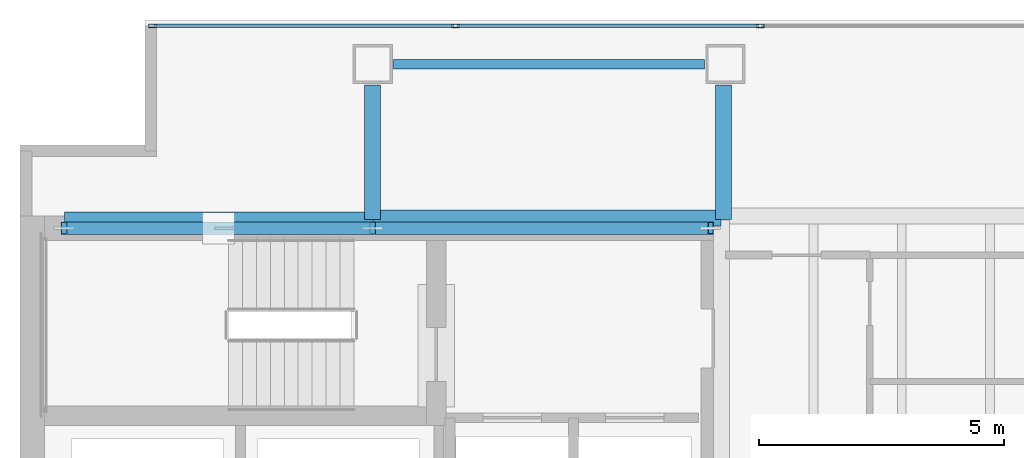
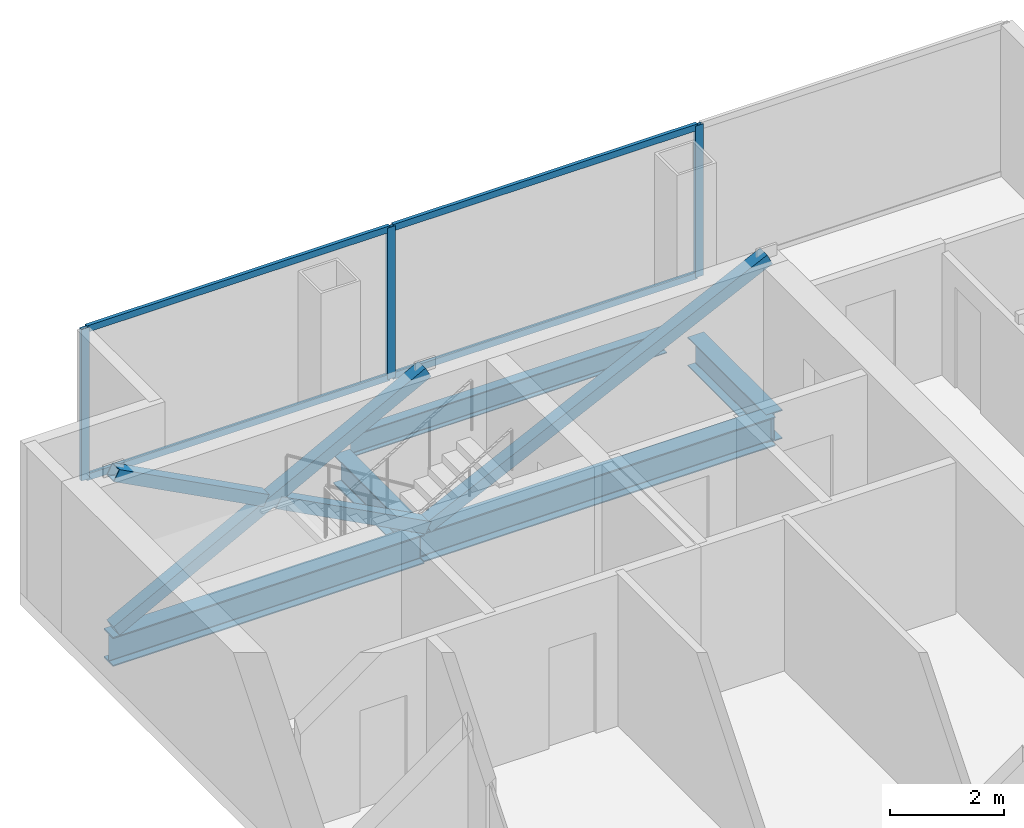
# One storey, part 17 of 23: 11 members, 5 beams, 1 element without a shape of its own.
"""IFC4 building model written with IfcOpenShell, lengths in metres."""

from ifc_helpers import new_model, si_unit, direction, frame, origin, origin_2d, place, context, subcontext, project, spatial, hollow_rectangle, i_section, extrude, material, material_profile, profile_set, type_object, element, aggregate, save


model = new_model("IFC4")

# Units and contexts
model_context = context("Model", 3, precision=1e-05, world=origin(), true_north=direction((0.0, 1.0)))
body_context = subcontext(model_context, "Body", "Model", "MODEL_VIEW")
ifc_project = project(units=[si_unit("LENGTHUNIT", "METRE"), si_unit("AREAUNIT", "SQUARE_METRE"), si_unit("VOLUMEUNIT", "CUBIC_METRE"), si_unit("PLANEANGLEUNIT", "RADIAN"), si_unit("MASSUNIT", "GRAM", prefix="KILO")], contexts=[model_context])

# Site, building, storey
site_placement = place(None, origin())
site = spatial("IfcSite", under=ifc_project, at=site_placement, CompositionType="ELEMENT")
building_placement = place(site_placement, origin())
building = spatial("IfcBuilding", under=site, at=building_placement, Name="Cobrela Telecom Tower", CompositionType="ELEMENT")
storey_placement = place(building_placement, frame((0.0, 0.0, 187.25)))
storey = spatial("IfcBuildingStorey", under=building, at=storey_placement, Name="L47", CompositionType="ELEMENT", Elevation=187.25)

# Beams
ifc_material_1 = material(Name="Steel ASTM A992 Grade 50", Category="steel")
ifc_material_profile_1 = material_profile(ifc_material_1, i_section(OverallWidth=0.327880859375, OverallDepth=0.6220703125, WebThickness=0.015380859375, FlangeThickness=0.0244140625, FilletRadius=0.014892578125, at=origin_2d()), Name="W24X131")
ifc_profile_set_1 = profile_set([ifc_material_profile_1], Name="Steel ASTM A992 Grade 50")
beam_type_1 = type_object("IfcBeamType", Name="BM-GIRD-06", PredefinedType="USERDEFINED", material=ifc_profile_set_1)
beam_1_placement = place(storey_placement, frame((0.905029296875, 35.919921875, -0.571044921875), z_axis=(1.0, 0.0, 0.0), x_axis=(0.0, 1.0, 0.0)))
element("IfcBeam", 1, at=beam_1_placement, inside=storey, type_object=beam_type_1, Name="L47 Primary Girder X20", ObjectType="GIRDER", PredefinedType="USERDEFINED", context=body_context, shape_type="SweptSolid", body=[
    extrude(i_section(OverallWidth=0.327880859375, OverallDepth=0.6220703125, WebThickness=0.015380859375, FlangeThickness=0.0244140625, FilletRadius=0.014892578125, at=origin_2d()), origin(), (0.0, 0.0, 1.0), 6.2900390625),
])
beam_2_placement = place(storey_placement, frame((7.205078125, 35.9599609375, -0.571044921875), z_axis=(1.0, 0.0, 0.0), x_axis=(0.0, 1.0, 0.0)))
element("IfcBeam", 2, at=beam_2_placement, inside=storey, type_object=beam_type_1, Name="L47 Primary Girder X21", ObjectType="GIRDER", PredefinedType="USERDEFINED", context=body_context, shape_type="SweptSolid", body=[
    extrude(i_section(OverallWidth=0.327880859375, OverallDepth=0.6220703125, WebThickness=0.015380859375, FlangeThickness=0.0244140625, FilletRadius=0.014892578125, at=origin_2d()), origin(), (0.0, 0.0, 1.0), 7.10986328125),
])
for number, where, z_axis, x_axis, name in (
    (3, (7.199951171875, 35.925048828125, -0.571044921875), (0.0, 1.0, 0.0), (-1.0, 0.0, 0.0), "L47 Primary Girder Y25"),
    (4, (14.360107421875, 35.925048828125, -0.571044921875), (0.0, 1.0, 0.0), (-1.0, 0.0, 0.0), "L47 Primary Girder Y31"),
):
    element("IfcBeam", number, at=place(storey_placement, frame(where, z_axis=z_axis, x_axis=x_axis)), inside=storey, type_object=beam_type_1, Name=name, ObjectType="GIRDER", PredefinedType="USERDEFINED", context=body_context, shape_type="SweptSolid", body=[
        extrude(i_section(OverallWidth=0.327880859375, OverallDepth=0.6220703125, WebThickness=0.015380859375, FlangeThickness=0.0244140625, FilletRadius=0.014892578125, at=origin_2d()), origin(), (0.0, 0.0, 1.0), 2.744873046875),
    ])
ifc_material_profile_2 = material_profile(ifc_material_1, i_section(OverallWidth=0.193115234375, OverallDepth=0.467041015625, WebThickness=0.011474609375, FlangeThickness=0.01904296875, FilletRadius=0.012939453125, at=origin_2d()), Name="W18X65")
ifc_profile_set_2 = profile_set([ifc_material_profile_2], Name="Steel ASTM A992 Grade 50")
beam_type_2 = type_object("IfcBeamType", Name="BM-SPAND-05", PredefinedType="SPANDREL", material=ifc_profile_set_2)
beam_3_placement = place(storey_placement, frame((7.6298828125, 39.10009765625, -0.493408203125), z_axis=(1.0, 0.0, 0.0), x_axis=(0.0, 1.0, 0.0)))
element("IfcBeam", 5, at=beam_3_placement, inside=storey, type_object=beam_type_2, Name="L47 Perimeter Spandrel X23", PredefinedType="SPANDREL", context=body_context, shape_type="SweptSolid", body=[
    extrude(i_section(OverallWidth=0.193115234375, OverallDepth=0.467041015625, WebThickness=0.011474609375, FlangeThickness=0.01904296875, FilletRadius=0.012939453125, at=origin_2d()), origin(), (0.0, 0.0, 1.0), 6.340087890625),
])

# Curtain wall, members
ifc_material_2 = material(Name="Anodized Bronze Aluminium 6063-T6", Category="aluminium")
curtain_wall_type = type_object("IfcCurtainWallType", Name="CW-SYS-OFF-LO", PredefinedType="USERDEFINED", material=ifc_material_2)
curtain_wall_placement = place(storey_placement, origin())
curtain_wall = element("IfcCurtainWall", 6, at=curtain_wall_placement, inside=storey, type_object=curtain_wall_type, Name="L47 Unitised Bronze Curtain Wall 07", ObjectType="UNITISED CURTAIN WALL", PredefinedType="USERDEFINED")
ifc_material_profile_3 = material_profile(ifc_material_2, hollow_rectangle(XDim=0.070068359375, YDim=0.159912109375, WallThickness=0.00390625, at=origin_2d()), Name="ALU 70x160x4")
ifc_profile_set_3 = profile_set([ifc_material_profile_3], Name="Anodized Bronze Aluminium 6063-T6")
member_type_1 = type_object("IfcMemberType", Name="CW-SYS-OFF-LO-MUL", PredefinedType="MULLION", material=ifc_profile_set_3)
member_1_placement = place(storey_placement, frame((2.705078125, 39.8798828125, 0.0), z_axis=(0.0, 0.0, 1.0), x_axis=(0.0, 1.0, 0.0)))
member_1 = element("IfcMember", 7, at=member_1_placement, type_object=member_type_1, Name="CW-OFF-LO mullion 1", PredefinedType="MULLION", context=body_context, shape_type="SweptSolid", body=[
    extrude(hollow_rectangle(XDim=0.070068359375, YDim=0.159912109375, WallThickness=0.00390625, at=origin_2d()), origin(), (0.0, 0.0, 1.0), 3.239990234375),
])
member_2_placement = place(storey_placement, frame((8.889892578125, 39.8798828125, 0.0), z_axis=(0.0, 0.0, 1.0), x_axis=(0.0, 1.0, 0.0)))
member_2 = element("IfcMember", 8, at=member_2_placement, type_object=member_type_1, Name="CW-OFF-LO mullion 2", PredefinedType="MULLION", context=body_context, shape_type="SweptSolid", body=[
    extrude(hollow_rectangle(XDim=0.070068359375, YDim=0.159912109375, WallThickness=0.00390625, at=origin_2d()), origin(), (0.0, 0.0, 1.0), 3.239990234375),
])
member_3_placement = place(storey_placement, frame((15.110107421875, 39.8798828125, 0.0), z_axis=(0.0, 0.0, 1.0), x_axis=(0.0, 1.0, 0.0)))
member_3 = element("IfcMember", 9, at=member_3_placement, type_object=member_type_1, Name="CW-OFF-LO mullion 3", PredefinedType="MULLION", context=body_context, shape_type="SweptSolid", body=[
    extrude(hollow_rectangle(XDim=0.070068359375, YDim=0.159912109375, WallThickness=0.00390625, at=origin_2d()), origin(), (0.0, 0.0, 1.0), 3.239990234375),
])
ifc_material_profile_4 = material_profile(ifc_material_2, hollow_rectangle(XDim=0.070068359375, YDim=0.139892578125, WallThickness=0.00390625, at=origin_2d()), Name="ALU 70x140x4")
ifc_profile_set_4 = profile_set([ifc_material_profile_4], Name="Anodized Bronze Aluminium 6063-T6")
member_type_2 = type_object("IfcMemberType", Name="CW-SYS-OFF-LO-TRN", PredefinedType="USERDEFINED", material=ifc_profile_set_4)
member_4_placement = place(storey_placement, frame((2.739990234375, 39.8798828125, 0.034912109375), z_axis=(1.0, 0.0, 0.0), x_axis=(0.0, 1.0, 0.0)))
member_4 = element("IfcMember", 10, at=member_4_placement, type_object=member_type_2, Name="CW-OFF-LO transom 1.1", ObjectType="TRANSOM", PredefinedType="USERDEFINED", context=body_context, shape_type="SweptSolid", body=[
    extrude(hollow_rectangle(XDim=0.070068359375, YDim=0.139892578125, WallThickness=0.00390625, at=origin_2d()), origin(), (0.0, 0.0, 1.0), 6.114990234375),
])
member_5_placement = place(storey_placement, frame((2.739990234375, 39.8798828125, 3.205078125), z_axis=(1.0, 0.0, 0.0), x_axis=(0.0, 1.0, 0.0)))
member_5 = element("IfcMember", 11, at=member_5_placement, type_object=member_type_2, Name="CW-OFF-LO transom 1.2", ObjectType="TRANSOM", PredefinedType="USERDEFINED", context=body_context, shape_type="SweptSolid", body=[
    extrude(hollow_rectangle(XDim=0.070068359375, YDim=0.139892578125, WallThickness=0.00390625, at=origin_2d()), origin(), (0.0, 0.0, 1.0), 6.114990234375),
])
member_6_placement = place(storey_placement, frame((8.925048828125, 39.8798828125, 0.034912109375), z_axis=(1.0, 0.0, 0.0), x_axis=(0.0, 1.0, 0.0)))
member_6 = element("IfcMember", 12, at=member_6_placement, type_object=member_type_2, Name="CW-OFF-LO transom 2.1", ObjectType="TRANSOM", PredefinedType="USERDEFINED", context=body_context, shape_type="SweptSolid", body=[
    extrude(hollow_rectangle(XDim=0.070068359375, YDim=0.139892578125, WallThickness=0.00390625, at=origin_2d()), origin(), (0.0, 0.0, 1.0), 6.14990234375),
])
member_7_placement = place(storey_placement, frame((8.925048828125, 39.8798828125, 3.205078125), z_axis=(1.0, 0.0, 0.0), x_axis=(0.0, 1.0, 0.0)))
member_7 = element("IfcMember", 13, at=member_7_placement, type_object=member_type_2, Name="CW-OFF-LO transom 2.2", ObjectType="TRANSOM", PredefinedType="USERDEFINED", context=body_context, shape_type="SweptSolid", body=[
    extrude(hollow_rectangle(XDim=0.070068359375, YDim=0.139892578125, WallThickness=0.00390625, at=origin_2d()), origin(), (0.0, 0.0, 1.0), 6.14990234375),
])
aggregate(curtain_wall, [member_1, member_2, member_3, member_4, member_5, member_6, member_7])

# Members
ifc_material_3 = material(Name="Steel ASTM A572 Grade 50", Category="steel")
ifc_material_profile_5 = material_profile(ifc_material_3, hollow_rectangle(XDim=0.25, YDim=0.25, WallThickness=0.013916015625, at=origin_2d()), Name="HSS 250x250x14")
ifc_profile_set_5 = profile_set([ifc_material_profile_5], Name="Steel ASTM A572 Grade 50")
member_type_3 = type_object("IfcMemberType", Name="MBR-EXO-04", PredefinedType="BRACE", material=ifc_profile_set_5)
member_8_placement = place(storey_placement, frame((0.89990234375, 35.75, -0.0400390625), z_axis=(0.884671945606, 0.0, 0.466214058837), x_axis=(0.0, 1.0, 0.0)))
element("IfcMember", 14, at=member_8_placement, inside=storey, type_object=member_type_3, Name="L47 Core Flange Steel X-Brace Continuous A", PredefinedType="BRACE", context=body_context, shape_type="SweptSolid", body=[
    extrude(hollow_rectangle(XDim=0.25, YDim=0.25, WallThickness=0.013916015625, at=origin_2d()), origin(), (0.0, 0.0, 1.0), 7.121337890625),
])
for number, where, z_axis, x_axis, name in (
    (15, (7.199951171875, 35.75, -0.0400390625), (-0.884673479945, 0.0, 0.466211147317), (0.0, -1.0, 0.0), "L47 Core Flange Steel X-Brace Split B1"),
    (16, (3.926025390625, 35.75, 1.685302734375), (-0.884673479945, 0.0, 0.466211147317), (0.0, -1.0, 0.0), "L47 Core Flange Steel X-Brace Split B2"),
):
    element("IfcMember", number, at=place(storey_placement, frame(where, z_axis=z_axis, x_axis=x_axis)), inside=storey, type_object=member_type_3, Name=name, PredefinedType="BRACE", context=body_context, shape_type="SweptSolid", body=[
        extrude(hollow_rectangle(XDim=0.25, YDim=0.25, WallThickness=0.013916015625, at=origin_2d()), origin(), (0.0, 0.0, 1.0), 3.420654296875),
    ])
member_9_placement = place(storey_placement, frame((7.199951171875, 35.75, -0.0400390625), z_axis=(0.901115182893, 0.0, 0.43357978177), x_axis=(0.0, 1.0, 0.0)))
element("IfcMember", 17, at=member_9_placement, inside=storey, type_object=member_type_3, Name="L47 Core Flange Steel Brace N2", PredefinedType="BRACE", context=body_context, shape_type="SweptSolid", body=[
    extrude(hollow_rectangle(XDim=0.25, YDim=0.25, WallThickness=0.013916015625, at=origin_2d()), origin(), (0.0, 0.0, 1.0), 7.6572265625),
])

save(model, "model.ifc")
